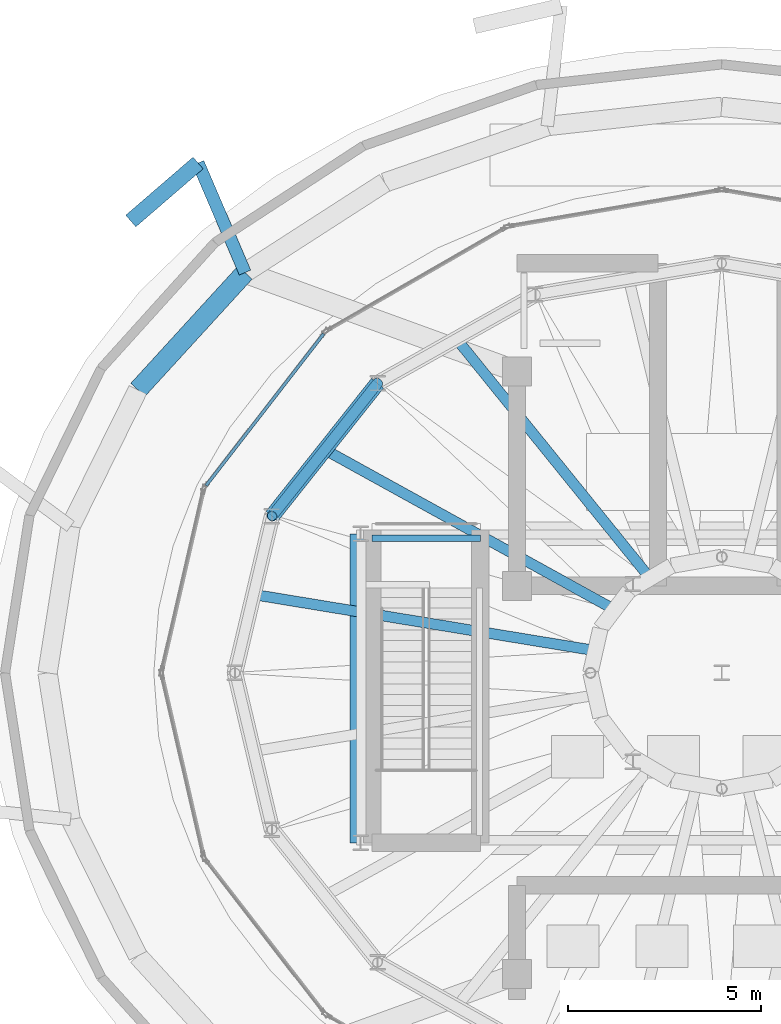
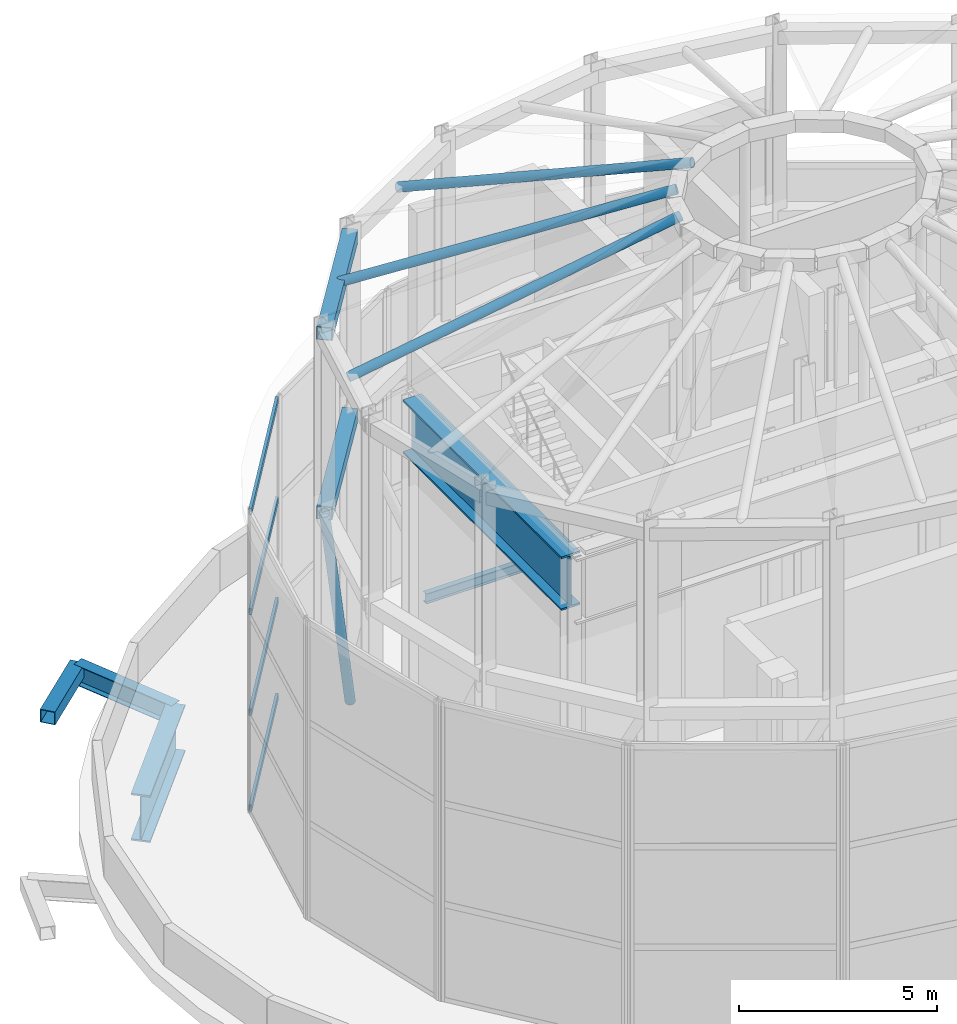
# One storey, part 11 of 22: 8 members, 7 beams, 1 element without a shape of its own.
"""IFC4 building model written with IfcOpenShell, lengths in metres."""

from ifc_helpers import new_model, si_unit, direction, frame, origin, origin_2d, place, context, subcontext, project, spatial, hollow_rectangle, hollow_circle, i_section, extrude, material, layer, layer_set, material_profile, profile_set, type_object, element, aggregate, save


model = new_model("IFC4")

# Units and contexts
model_context = context("Model", 3, precision=1e-05, world=origin(), true_north=direction((0.0, 1.0)))
body_context = subcontext(model_context, "Body", "Model", "MODEL_VIEW")
ifc_project = project(units=[si_unit("LENGTHUNIT", "METRE"), si_unit("AREAUNIT", "SQUARE_METRE"), si_unit("VOLUMEUNIT", "CUBIC_METRE"), si_unit("PLANEANGLEUNIT", "RADIAN"), si_unit("MASSUNIT", "GRAM", prefix="KILO")], contexts=[model_context])

# Site, building, storey
site_placement = place(None, origin())
site = spatial("IfcSite", under=ifc_project, at=site_placement, CompositionType="ELEMENT")
building_placement = place(site_placement, origin())
building = spatial("IfcBuilding", under=site, at=building_placement, Name="Nuhasar Tower", CompositionType="ELEMENT")
storey_placement = place(building_placement, frame((0.0, 0.0, 313.39990234375)))
storey = spatial("IfcBuildingStorey", under=building, at=storey_placement, Name="Roof Drum", CompositionType="ELEMENT", Elevation=313.39990234375)

# Beams
ifc_material_1 = material(Name="Steel S355", Category="steel")
ifc_material_profile_1 = material_profile(ifc_material_1, hollow_rectangle(XDim=0.39990234375, YDim=0.39990234375, WallThickness=0.01611328125, at=origin_2d()), Name="HSS400X400X16")
ifc_profile_set_1 = profile_set([ifc_material_profile_1], Name="Steel S355")
beam_type_1 = type_object("IfcBeamType", Name="BM-CRN-HSS400", PredefinedType="SPANDREL", material=ifc_profile_set_1)
beam_1_placement = place(storey_placement, frame((25.446044921875, 39.99609375, -0.619873046875), z_axis=(-0.757297730378, -0.653069787668, 0.0), x_axis=(0.653069787668, -0.757297730378, 0.0)))
element("IfcBeam", 1, at=beam_1_placement, inside=storey, type_object=beam_type_1, Name="Roof Drum Top Exoskeleton Collar Beam 05", PredefinedType="SPANDREL", context=body_context, shape_type="SweptSolid", body=[
    extrude(hollow_rectangle(XDim=0.39990234375, YDim=0.39990234375, WallThickness=0.01611328125, at=origin_2d()), origin(), (0.0, 0.0, 1.0), 2.30029296875),
])
for number, where, z_axis, x_axis, name in (
    (2, (30.090087890625, 34.294921875, 9.02001953125), (-0.621918241488, -0.783082180173, 0.0), (0.783082180173, -0.621918241488, 0.0), "Crown Drum Eave Ring Beam 07"),
    (3, (30.090087890625, 34.294921875, 14.5400390625), (-0.621918241488, -0.783082180173, 0.0), (0.783082180173, -0.621918241488, 0.0), "Crown Drum Top Ring Beam 07"),
):
    element("IfcBeam", number, at=place(storey_placement, frame(where, z_axis=z_axis, x_axis=x_axis)), inside=storey, type_object=beam_type_1, Name=name, PredefinedType="SPANDREL", context=body_context, shape_type="SweptSolid", body=[
        extrude(hollow_rectangle(XDim=0.39990234375, YDim=0.39990234375, WallThickness=0.01611328125, at=origin_2d()), origin(), (0.0, 0.0, 1.0), 4.3916015625),
    ])
ifc_material_profile_2 = material_profile(ifc_material_1, i_section(OverallWidth=0.1650390625, OverallDepth=0.31005859375, WebThickness=0.005859375, FlangeThickness=0.009765625, at=origin_2d()), Name="W12X26")
ifc_profile_set_2 = profile_set([ifc_material_profile_2], Name="Steel S355")
beam_type_2 = type_object("IfcBeamType", Name="BM-LNT-W12X26", PredefinedType="LINTEL", material=ifc_profile_set_2)
beam_2_placement = place(storey_placement, frame((29.949951171875, 30.280029296875, 5.85498046875), z_axis=(1.0, 0.0, 0.0), x_axis=(0.0, 1.0, 0.0)))
element("IfcBeam", 4, at=beam_2_placement, inside=storey, type_object=beam_type_2, Name="Roof Drum Stair ST-CRN-1 Mid-Landing Trimmer Beam 1", PredefinedType="LINTEL", context=body_context, shape_type="SweptSolid", body=[
    extrude(i_section(OverallWidth=0.1650390625, OverallDepth=0.31005859375, WebThickness=0.005859375, FlangeThickness=0.009765625, at=origin_2d()), origin(), (0.0, 0.0, 1.0), 2.800048828125),
])
ifc_material_profile_3 = material_profile(ifc_material_1, i_section(OverallWidth=0.323974609375, OverallDepth=0.611083984375, WebThickness=0.0126953125, FlangeThickness=0.01904296875, at=origin_2d()), Name="W24X104")
ifc_profile_set_3 = profile_set([ifc_material_profile_3], Name="Steel S355")
beam_type_3 = type_object("IfcBeamType", Name="BM-TIE-W24X104", PredefinedType="BEAM", material=ifc_profile_set_3)
beam_3_placement = place(storey_placement, frame((26.660888671875, 37.158935546875, -0.724853515625), z_axis=(-0.393623318725, 0.919271822127, 0.0), x_axis=(-0.919271822127, -0.393623318725, 0.0)))
element("IfcBeam", 5, at=beam_3_placement, inside=storey, type_object=beam_type_3, Name="Roof Drum Top Exoskeleton Tie Beam 05", PredefinedType="BEAM", context=body_context, shape_type="SweptSolid", body=[
    extrude(i_section(OverallWidth=0.323974609375, OverallDepth=0.611083984375, WebThickness=0.0126953125, FlangeThickness=0.01904296875, at=origin_2d()), origin(), (0.0, 0.0, 1.0), 3.08642578125),
])
ifc_material_2 = material(Name="Steel S460", Category="steel")
ifc_material_profile_4 = material_profile(ifc_material_2, i_section(OverallWidth=0.5, OverallDepth=1.449951171875, WebThickness=0.028076171875, FlangeThickness=0.050048828125, at=origin_2d()), Name="PG1450X500")
ifc_profile_set_4 = profile_set([ifc_material_profile_4], Name="Steel S460")
beam_type_4 = type_object("IfcBeamType", Name="BM-XFER-PG1450", PredefinedType="USERDEFINED", material=ifc_profile_set_4)
beam_4_placement = place(storey_placement, frame((26.660888671875, 37.158935546875, -1.14501953125), z_axis=(-0.674645322637, -0.738142051806, 0.0), x_axis=(0.738142051806, -0.674645322637, 0.0)))
element("IfcBeam", 6, at=beam_4_placement, inside=storey, type_object=beam_type_4, Name="Roof Drum Outer Setback Spandrel 10", ObjectType="GIRDER", PredefinedType="USERDEFINED", context=body_context, shape_type="SweptSolid", body=[
    extrude(i_section(OverallWidth=0.5, OverallDepth=1.449951171875, WebThickness=0.028076171875, FlangeThickness=0.050048828125, at=origin_2d()), origin(), (0.0, 0.0, 1.0), 4.1103515625),
])
ifc_material_profile_5 = material_profile(ifc_material_2, i_section(OverallWidth=0.550048828125, OverallDepth=1.64990234375, WebThickness=0.031982421875, FlangeThickness=0.054931640625, at=origin_2d()), Name="PG1650X550")
ifc_profile_set_5 = profile_set([ifc_material_profile_5], Name="Steel S460")
beam_type_5 = type_object("IfcBeamType", Name="BM-XFER-PG1650", PredefinedType="USERDEFINED", material=ifc_profile_set_5)
beam_5_placement = place(storey_placement, frame((29.64990234375, 30.39990234375, 11.255126953125), z_axis=(0.0, -1.0, 0.0), x_axis=(1.0, 0.0, 0.0)))
element("IfcBeam", 7, at=beam_5_placement, inside=storey, type_object=beam_type_5, Name="Crown Apex Plinth Transfer Girder 4", ObjectType="GIRDER", PredefinedType="USERDEFINED", context=body_context, shape_type="SweptSolid", body=[
    extrude(i_section(OverallWidth=0.550048828125, OverallDepth=1.64990234375, WebThickness=0.031982421875, FlangeThickness=0.054931640625, at=origin_2d()), origin(), (0.0, 0.0, 1.0), 8.0),
])

# Members
ifc_material_profile_6 = material_profile(ifc_material_1, hollow_circle(Radius=0.136474609375, WallThickness=0.0126953125, at=origin_2d()), Name="HSS273.1X12.7")
ifc_profile_set_6 = profile_set([ifc_material_profile_6], Name="Steel S355")
member_type_1 = type_object("IfcMemberType", Name="CRN-DIAG-273", PredefinedType="BRACE", material=ifc_profile_set_6)
member_1_placement = place(storey_placement, frame((30.090087890625, 34.294921875, 0.2001953125), z_axis=(-0.277203977474, -0.349038636516, 0.895170366518), x_axis=(0.783082180173, -0.621918241488, 0.0)))
element("IfcMember", 8, at=member_1_placement, inside=storey, type_object=member_type_1, Name="Crown Drum Frame Brace 07", PredefinedType="BRACE", context=body_context, shape_type="SweptSolid", body=[
    extrude(hollow_circle(Radius=0.136474609375, WallThickness=0.0126953125, at=origin_2d()), origin(), (0.0, 0.0, 1.0), 9.852783203125),
])
ifc_material_profile_7 = material_profile(ifc_material_2, hollow_circle(Radius=0.136474609375, WallThickness=0.0126953125, at=origin_2d()), Name="HSS273.1X12.7")
ifc_profile_set_7 = profile_set([ifc_material_profile_7], Name="Steel S460")
member_type_2 = type_object("IfcMemberType", Name="CRN-RAFTER-273", PredefinedType="RAFTER", material=ifc_profile_set_7)
member_2_placement = place(storey_placement, frame((32.134033203125, 35.444091796875, 14.60009765625), z_axis=(0.594247248022, -0.734727262725, 0.32717893824), x_axis=(0.777520100995, 0.628858086175, 0.0)))
element("IfcMember", 9, at=member_2_placement, inside=storey, type_object=member_type_2, Name="Crown Dome Radial Bearing Rafter 06", PredefinedType="RAFTER", context=body_context, shape_type="SweptSolid", body=[
    extrude(hollow_circle(Radius=0.136474609375, WallThickness=0.0126953125, at=origin_2d()), origin(), (0.0, 0.0, 1.0), 8.435791015625),
])
member_3_placement = place(storey_placement, frame((28.72412109375, 32.575927734375, 14.60009765625), z_axis=(0.833316885661, -0.460016301094, 0.30654195602), x_axis=(0.483282919411, 0.875464231026, 0.0)))
element("IfcMember", 10, at=member_3_placement, inside=storey, type_object=member_type_2, Name="Crown Dome Radial Bearing Rafter 07", PredefinedType="RAFTER", context=body_context, shape_type="SweptSolid", body=[
    extrude(hollow_circle(Radius=0.136474609375, WallThickness=0.0126953125, at=origin_2d()), origin(), (0.0, 0.0, 1.0), 9.003662109375),
])
member_4_placement = place(storey_placement, frame((26.8798828125, 28.827880859375, 14.60009765625), z_axis=(0.943125771704, -0.154932799186, 0.294125154458), x_axis=(0.162103120488, 0.986773823289, 0.0)))
element("IfcMember", 11, at=member_4_placement, inside=storey, type_object=member_type_2, Name="Crown Dome Radial Bearing Rafter 08", PredefinedType="RAFTER", context=body_context, shape_type="SweptSolid", body=[
    extrude(hollow_circle(Radius=0.136474609375, WallThickness=0.0126953125, at=origin_2d()), origin(), (0.0, 0.0, 1.0), 9.3837890625),
])

# Curtain wall, members
ifc_material_3 = material(Name="Aluminium 6063-T6", Category="aluminium")
ifc_layer = layer(ifc_material_3, 0.219970703125)
ifc_layer_set = layer_set([ifc_layer], Name="Aluminium 6063-T6")
curtain_wall_type = type_object("IfcCurtainWallType", Name="CW-CROWN", PredefinedType="NOTDEFINED", material=ifc_layer_set)
curtain_wall_placement = place(storey_placement, origin())
curtain_wall = element("IfcCurtainWall", 12, at=curtain_wall_placement, inside=storey, type_object=curtain_wall_type, Name="Crown Lantern Curtain Wall 07", PredefinedType="NOTDEFINED")
ifc_material_profile_8 = material_profile(ifc_material_3, hollow_rectangle(XDim=0.080078125, YDim=0.199951171875, WallThickness=0.00439453125, at=origin_2d()), Name="CWT-7")
ifc_profile_set_8 = profile_set([ifc_material_profile_8], Name="Aluminium 6063-T6")
member_type_3 = type_object("IfcMemberType", Name="CW-TRN-S7", PredefinedType="USERDEFINED", material=ifc_profile_set_8)
member_5_placement = place(storey_placement, frame((28.697998046875, 35.57568359375, 0.0400390625), z_axis=(-0.61261692868, -0.790379971086, 0.0), x_axis=(0.790379971086, -0.61261692868, 0.0)))
member_5 = element("IfcMember", 13, at=member_5_placement, type_object=member_type_3, Name="CW-CR transom 1.1", ObjectType="TRANSOM", PredefinedType="USERDEFINED", context=body_context, shape_type="SweptSolid", body=[
    extrude(hollow_rectangle(XDim=0.080078125, YDim=0.199951171875, WallThickness=0.00439453125, at=origin_2d()), origin(), (0.0, 0.0, 1.0), 4.970458984375),
])
member_6_placement = place(storey_placement, frame((28.697998046875, 35.57568359375, 3.0), z_axis=(-0.61261692868, -0.790379971086, 0.0), x_axis=(0.790379971086, -0.61261692868, 0.0)))
member_6 = element("IfcMember", 14, at=member_6_placement, type_object=member_type_3, Name="CW-CR transom 1.2", ObjectType="TRANSOM", PredefinedType="USERDEFINED", context=body_context, shape_type="SweptSolid", body=[
    extrude(hollow_rectangle(XDim=0.080078125, YDim=0.199951171875, WallThickness=0.00439453125, at=origin_2d()), origin(), (0.0, 0.0, 1.0), 4.970458984375),
])
member_7_placement = place(storey_placement, frame((28.697998046875, 35.57568359375, 6.10009765625), z_axis=(-0.61261692868, -0.790379971086, 0.0), x_axis=(0.790379971086, -0.61261692868, 0.0)))
member_7 = element("IfcMember", 15, at=member_7_placement, type_object=member_type_3, Name="CW-CR transom 1.3", ObjectType="TRANSOM", PredefinedType="USERDEFINED", context=body_context, shape_type="SweptSolid", body=[
    extrude(hollow_rectangle(XDim=0.080078125, YDim=0.199951171875, WallThickness=0.00439453125, at=origin_2d()), origin(), (0.0, 0.0, 1.0), 4.970458984375),
])
member_8_placement = place(storey_placement, frame((28.697998046875, 35.57568359375, 9.18017578125), z_axis=(-0.61261692868, -0.790379971086, 0.0), x_axis=(0.790379971086, -0.61261692868, 0.0)))
member_8 = element("IfcMember", 16, at=member_8_placement, type_object=member_type_3, Name="CW-CR transom 1.4", ObjectType="TRANSOM", PredefinedType="USERDEFINED", context=body_context, shape_type="SweptSolid", body=[
    extrude(hollow_rectangle(XDim=0.080078125, YDim=0.199951171875, WallThickness=0.00439453125, at=origin_2d()), origin(), (0.0, 0.0, 1.0), 4.970458984375),
])
aggregate(curtain_wall, [member_5, member_6, member_7, member_8])

save(model, "model.ifc")
